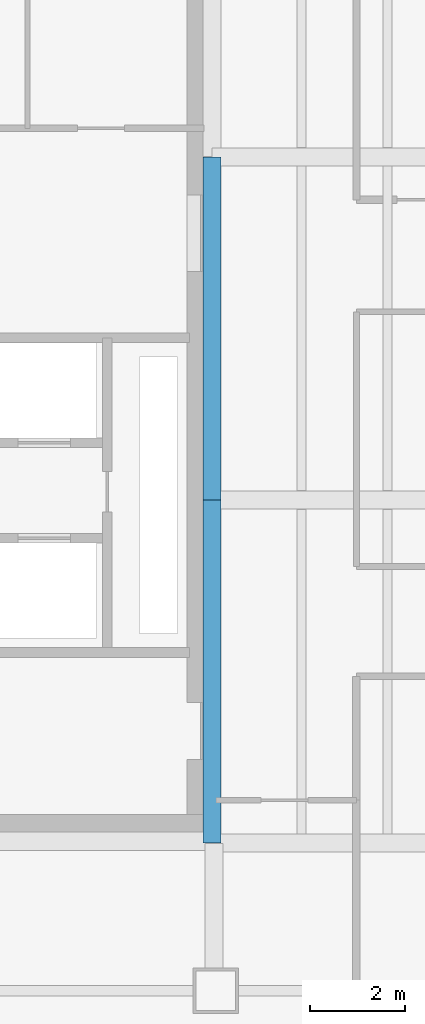
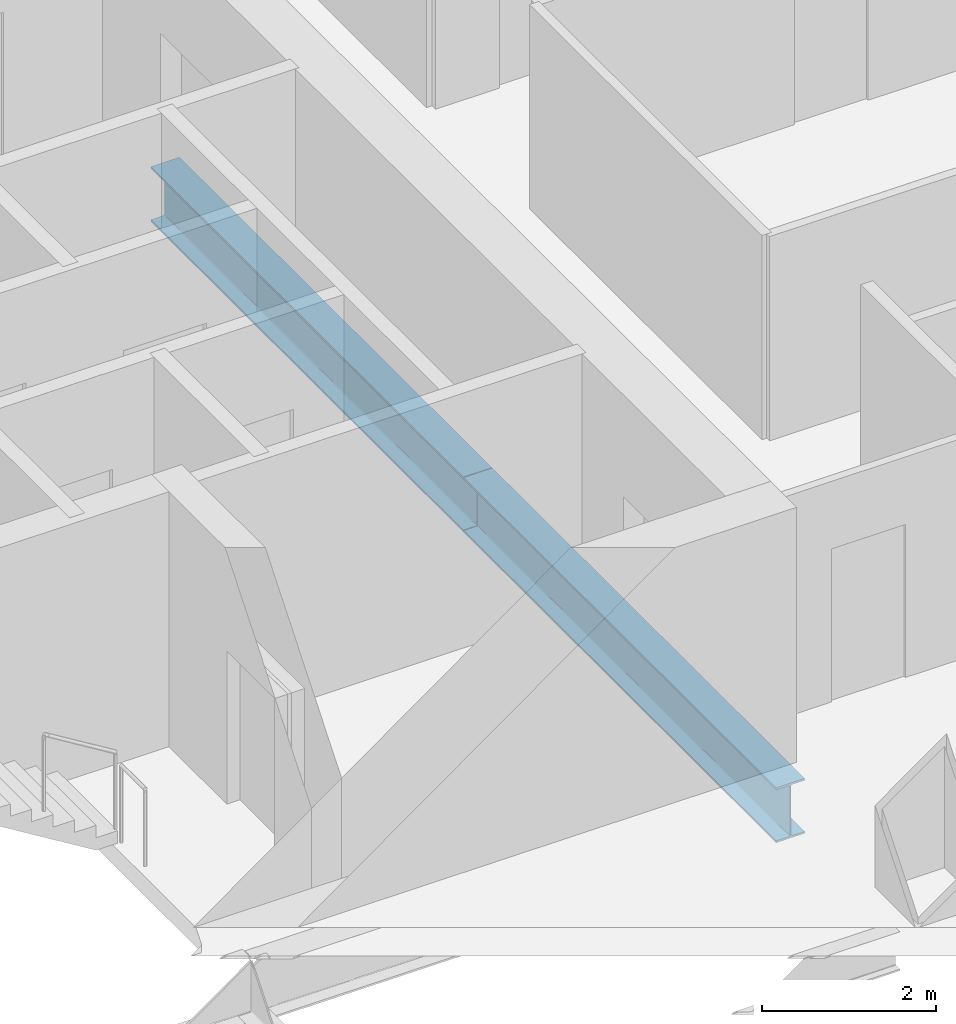
# One storey, part 3 of 23: 2 beams.
"""IFC4 building model written with IfcOpenShell, lengths in metres."""

from ifc_helpers import new_model, si_unit, direction, frame, origin, origin_2d, place, context, subcontext, project, spatial, i_section, extrude, material, material_profile, profile_set, type_object, element, save


model = new_model("IFC4")

# Units and contexts
model_context = context("Model", 3, precision=1e-05, world=origin(), true_north=direction((0.0, 1.0)))
body_context = subcontext(model_context, "Body", "Model", "MODEL_VIEW")
ifc_project = project(units=[si_unit("LENGTHUNIT", "METRE"), si_unit("AREAUNIT", "SQUARE_METRE"), si_unit("VOLUMEUNIT", "CUBIC_METRE"), si_unit("PLANEANGLEUNIT", "RADIAN"), si_unit("MASSUNIT", "GRAM", prefix="KILO")], contexts=[model_context])

# Site, building, storey
site_placement = place(None, origin())
site = spatial("IfcSite", under=ifc_project, at=site_placement, CompositionType="ELEMENT")
building_placement = place(site_placement, origin())
building = spatial("IfcBuilding", under=site, at=building_placement, Name="Cobrela Telecom Tower", CompositionType="ELEMENT")
storey_placement = place(building_placement, frame((0.0, 0.0, 113.75)))
storey = spatial("IfcBuildingStorey", under=building, at=storey_placement, Name="L28", CompositionType="ELEMENT", Elevation=113.75)

# Beams
ifc_material = material(Name="Steel ASTM A992 Grade 50", Category="steel")
ifc_material_profile = material_profile(ifc_material, i_section(OverallWidth=0.381103515625, OverallDepth=0.77197265625, WebThickness=0.0166015625, FlangeThickness=0.027099609375, FilletRadius=0.01904296875, at=origin_2d()), Name="W30X173")
ifc_profile_set = profile_set([ifc_material_profile], Name="Steel ASTM A992 Grade 50")
beam_type = type_object("IfcBeamType", Name="BM-GIRD-04", PredefinedType="USERDEFINED", material=ifc_profile_set)
for number, where, z_axis, x_axis, name in (
    (1, (14.320068359375, 7.205078125, -0.656005859375), (0.0, 1.0, 0.0), (-1.0, 0.0, 0.0), "L28 Primary Girder Y34"),
    (2, (14.320068359375, 14.405029296875, -0.656005859375), (0.0, 1.0, 0.0), (-1.0, 0.0, 0.0), "L28 Primary Girder Y35"),
):
    element("IfcBeam", number, at=place(storey_placement, frame(where, z_axis=z_axis, x_axis=x_axis)), inside=storey, type_object=beam_type, Name=name, ObjectType="GIRDER", PredefinedType="USERDEFINED", context=body_context, shape_type="SweptSolid", body=[
        extrude(i_section(OverallWidth=0.381103515625, OverallDepth=0.77197265625, WebThickness=0.0166015625, FlangeThickness=0.027099609375, FilletRadius=0.01904296875, at=origin_2d()), origin(), (0.0, 0.0, 1.0), 7.18994140625),
    ])

save(model, "model.ifc")
